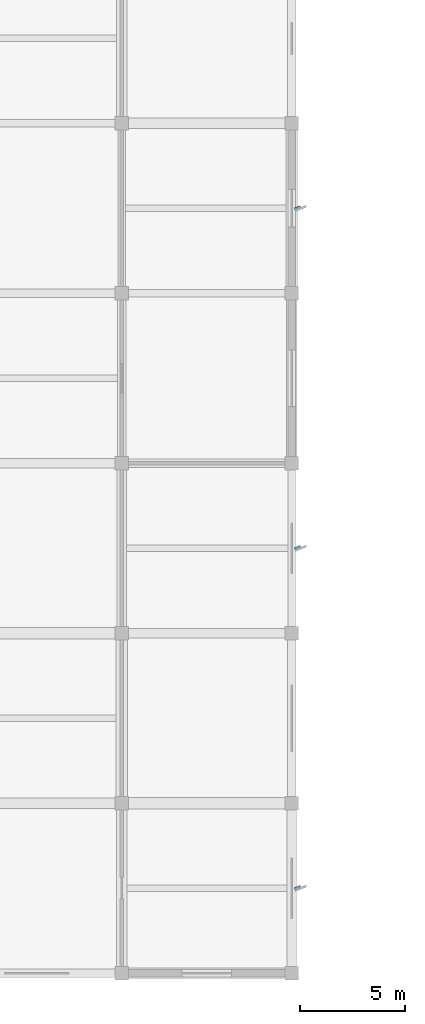
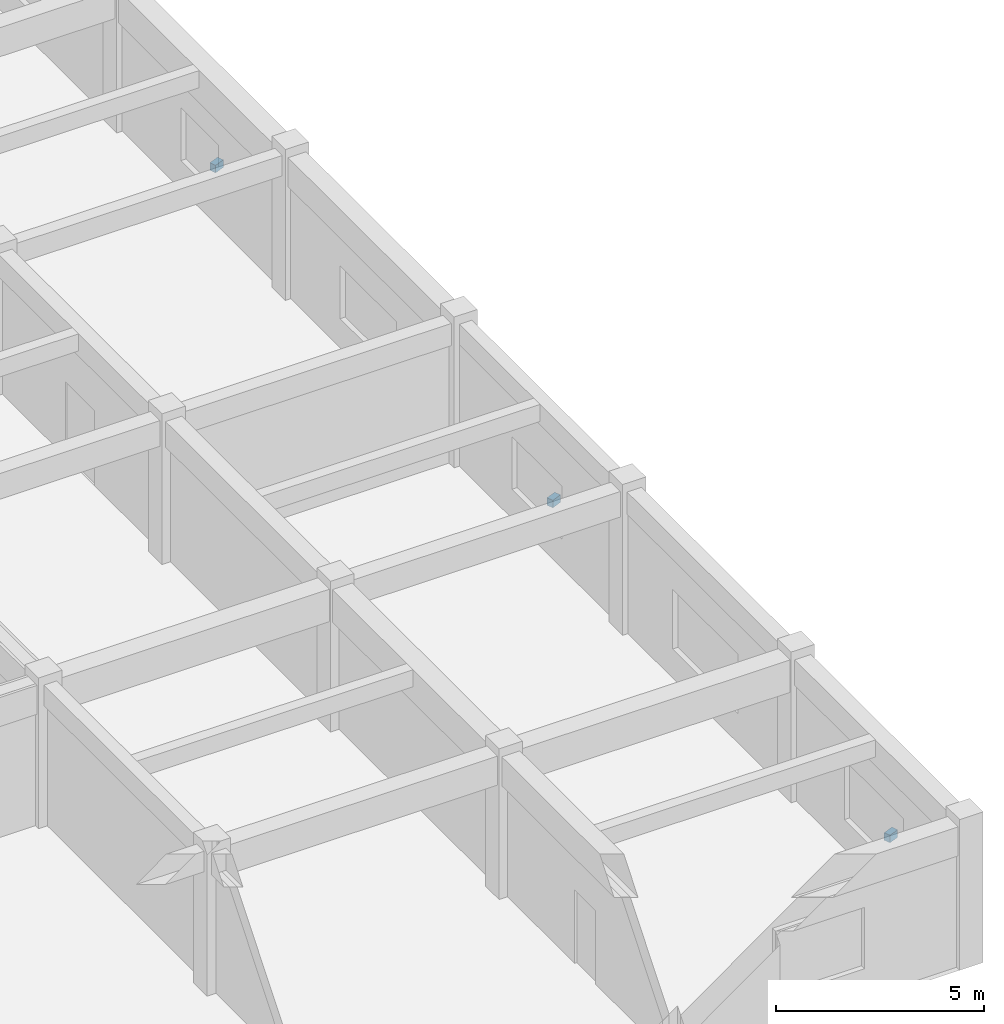
# One storey, part 35 of 40: 3 discrete accessories.
"""IFC4 building model written with IfcOpenShell, lengths in metres."""

import ifcopenshell
import ifcopenshell.guid

model = None  # the IFC model being written
_history = None  # IfcOwnerHistory: only IFC2X3 demands one
_inside = {}  # id of a spatial element -> (the spatial element, [elements in it])
_under = {}  # id of a project, library or spatial element -> (it, [spatial elements below it])
_declared = {}  # id of a project -> (the project, [libraries it declares])
_typed = {}  # id of a type object -> (the type object, [elements of that type])
_made_of = {}  # id of a material, layer set ... -> (it, [elements and type objects made of it])


def new_model(schema):
    """Start an empty IFC model of exactly this schema.

    Asked for "IFC4X3", IfcOpenShell would pick the latest addendum, in which some entities
    have other attributes; the version numbers below select the first issue.
    IFC2X3 requires an IfcOwnerHistory on every rooted entity: one is made here for all.
    """
    global model, _history
    if schema == "IFC4X3":
        model = ifcopenshell.file(schema_version=(4, 3, 0, 0))
    else:
        model = ifcopenshell.file(schema=schema)
    _inside.clear()
    _under.clear()
    _declared.clear()
    _typed.clear()
    _made_of.clear()
    _history = None
    if model.schema == "IFC2X3":
        org = make("IfcOrganization", Name="unknown")
        user = make(
            "IfcPersonAndOrganization",
            ThePerson=make("IfcPerson", FamilyName="unknown"),
            TheOrganization=org,
        )
        app = make(
            "IfcApplication",
            ApplicationDeveloper=org,
            Version="unknown",
            ApplicationFullName="unknown",
            ApplicationIdentifier="unknown",
        )
        _history = make(
            "IfcOwnerHistory",
            OwningUser=user,
            OwningApplication=app,
            ChangeAction="ADDED",
            CreationDate=0,
        )
    return model


def make(cls, **values):
    """One entity of the class cls with the attributes given. An attribute that is None is left unset."""
    return model.create_entity(
        cls, **{name: value for name, value in values.items() if value is not None}
    )


def rooted(cls, **values):
    """An entity with a GlobalId (a new one), such as an element, a storey or a relation."""
    return make(cls, GlobalId=ifcopenshell.guid.new(), OwnerHistory=_history, **values)


def si_unit(unit_type, name, prefix=None):
    """IfcSIUnit, for example si_unit("LENGTHUNIT", "METRE", prefix="MILLI")."""
    return make("IfcSIUnit", UnitType=unit_type, Prefix=prefix, Name=name)


def assignment(units):
    """IfcUnitAssignment: the units of a project."""
    return None if units is None else make("IfcUnitAssignment", Units=units)


def point(xyz):
    """IfcCartesianPoint."""
    return None if xyz is None else make("IfcCartesianPoint", Coordinates=xyz)


def direction(xyz):
    """IfcDirection."""
    return None if xyz is None else make("IfcDirection", DirectionRatios=xyz)


def frame(location, z_axis=None, x_axis=None):
    """IfcAxis2Placement3D, a coordinate frame: its origin and axes. An axis left out is left unset."""
    return make(
        "IfcAxis2Placement3D",
        Location=point(location),
        Axis=direction(z_axis),
        RefDirection=direction(x_axis),
    )


def frame_2d(location, x_axis=None):
    """IfcAxis2Placement2D, a coordinate frame in the plane: its origin and x axis."""
    return make(
        "IfcAxis2Placement2D", Location=point(location), RefDirection=direction(x_axis)
    )


def origin():
    """The frame at (0, 0, 0) with its axes left unset."""
    return frame((0.0, 0.0, 0.0))


def origin_2d():
    """The frame at (0, 0) in the plane with its x axis left unset."""
    return frame_2d((0.0, 0.0))


def place(relative_to, where):
    """IfcLocalPlacement: puts the frame where relative to a parent placement (None: the world)."""
    return make(
        "IfcLocalPlacement", PlacementRelTo=relative_to, RelativePlacement=where
    )


def context(
    kind, dimensions, precision=None, world=None, true_north=None, identifier=None
):
    """IfcGeometricRepresentationContext, for example the 3D "Model" context."""
    return make(
        "IfcGeometricRepresentationContext",
        ContextIdentifier=identifier,
        ContextType=kind,
        CoordinateSpaceDimension=dimensions,
        Precision=precision,
        WorldCoordinateSystem=world,
        TrueNorth=true_north,
    )


def subcontext(parent, identifier, kind, view, scale=None):
    """IfcGeometricRepresentationSubContext, for example "Body" below "Model"."""
    return make(
        "IfcGeometricRepresentationSubContext",
        ContextIdentifier=identifier,
        ContextType=kind,
        ParentContext=parent,
        TargetScale=scale,
        TargetView=view,
    )


def project(units=None, contexts=None):
    """IfcProject with its units and contexts."""
    return rooted(
        "IfcProject",
        Name="project",
        RepresentationContexts=contexts,
        UnitsInContext=assignment(units),
    )


def spatial(cls, under=None, at=None, **own):
    """A site, building, storey or space (cls), placed at a placement, below another one or the project."""
    s = rooted(cls, ObjectPlacement=at, **own)
    if under is not None:
        _under.setdefault(under.id(), (under, []))[1].append(s)
    return s


def profile(cls, at=None, kind="AREA", **sizes):
    """A parametric profile (cls). Its sizes go by their IFC names, for example OverallWidth=200.0."""
    return make(cls, ProfileType=kind, Position=at, **sizes)


def rectangle(**sizes):
    """IfcRectangleProfileDef."""
    return profile("IfcRectangleProfileDef", **sizes)


def extrude(swept, where, along, depth):
    """IfcExtrudedAreaSolid: the profile swept, set in the frame where, extruded along a direction by depth."""
    return make(
        "IfcExtrudedAreaSolid",
        SweptArea=swept,
        Position=where,
        ExtrudedDirection=direction(along),
        Depth=depth,
    )


def shape(context_of_items, identifier, shape_type, items):
    """IfcShapeRepresentation: the items that make up one representation, for example the "Body"."""
    return make(
        "IfcShapeRepresentation",
        ContextOfItems=context_of_items,
        RepresentationIdentifier=identifier,
        RepresentationType=shape_type,
        Items=items,
    )


def material(Name=None, Category=None):
    """IfcMaterial."""
    return make("IfcMaterial", Name=Name, Category=Category)


def made_of(thing, what):
    """Note that an element or type object is made of a material, layer set ...; save() writes the relation."""
    if what is not None:
        _made_of.setdefault(what.id(), (what, []))[1].append(thing)
    return thing


def type_object(cls, material=None, **own):
    """A type object (cls), such as IfcWallType, which elements share."""
    return made_of(rooted(cls, **own), material)


def element(
    cls,
    number,
    at=None,
    inside=None,
    cuts=None,
    type_object=None,
    material=None,
    context=None,
    identifier="Body",
    shape_type=None,
    held_by="IfcProductDefinitionShape",
    body=None,
    shapes=None,
    **own,
):
    """One element of the class cls, such as IfcWall. Its Tag is "e" and its number.

    at: its placement. inside: the storey or other place that contains it. cuts: it is an
    opening in that element (IfcRelVoidsElement). A single representation is given by context,
    identifier, shape_type and body (its items); several are given by shapes. held_by: the class
    of the entity that holds the representations. save() writes the other relations.
    """
    e = rooted(cls, Tag="e%d" % number, ObjectPlacement=at, **own)
    if body is not None:
        shapes = [shape(context, identifier, shape_type, body)]
    if shapes is not None:
        e.Representation = make(held_by, Representations=shapes)
    if inside is not None:
        _inside.setdefault(inside.id(), (inside, []))[1].append(e)
    if cuts is not None:
        rooted(
            "IfcRelVoidsElement", RelatingBuildingElement=cuts, RelatedOpeningElement=e
        )
    if type_object is not None:
        _typed.setdefault(type_object.id(), (type_object, []))[1].append(e)
    return made_of(e, material)


def aggregate(whole, parts):
    """IfcRelAggregates: a whole, such as a stair, and the parts it consists of."""
    return rooted("IfcRelAggregates", RelatingObject=whole, RelatedObjects=parts)


def save(model, path):
    """Write the relations noted so far, then the file.

    IfcRelAggregates (storeys below a building ...), IfcRelContainedInSpatialStructure (elements
    in a storey), IfcRelDefinesByType, IfcRelAssociatesMaterial and IfcRelDeclares: one each for
    every whole, place, type object, material and project.
    """
    for whole, parts in _under.values():
        aggregate(whole, parts)
    for where, things in _inside.values():
        rooted(
            "IfcRelContainedInSpatialStructure",
            RelatedElements=things,
            RelatingStructure=where,
        )
    for kind, things in _typed.values():
        rooted("IfcRelDefinesByType", RelatedObjects=things, RelatingType=kind)
    for what, things in _made_of.values():
        rooted("IfcRelAssociatesMaterial", RelatedObjects=things, RelatingMaterial=what)
    for by, libraries in _declared.values():
        rooted("IfcRelDeclares", RelatingContext=by, RelatedDefinitions=libraries)
    model.write(path)


model = new_model("IFC4")

# Units and contexts
model_context = context("Model", 3, precision=1e-05, world=origin(), true_north=direction((0.0, 1.0)))
body_context = subcontext(model_context, "Body", "Model", "MODEL_VIEW")
ifc_project = project(units=[si_unit("LENGTHUNIT", "METRE"), si_unit("AREAUNIT", "SQUARE_METRE"), si_unit("VOLUMEUNIT", "CUBIC_METRE"), si_unit("PLANEANGLEUNIT", "RADIAN"), si_unit("MASSUNIT", "GRAM", prefix="KILO")], contexts=[model_context])

# Site, building, storey
site_placement = place(None, origin())
site = spatial("IfcSite", under=ifc_project, at=site_placement, CompositionType="ELEMENT")
building_placement = place(site_placement, origin())
building = spatial("IfcBuilding", under=site, at=building_placement, Name="Vaudrelin Polytechnic", CompositionType="ELEMENT")
storey_placement = place(building_placement, frame((0.0, 0.0, 22.949951171875)))
storey = spatial("IfcBuildingStorey", under=building, at=storey_placement, Name="L05", CompositionType="ELEMENT", Elevation=22.949951171875)

# Discrete accessories
ifc_material = material(Name="Galvanised steel CSA G40.21 350W", Category="steel")
discrete_accessory_type = type_object("IfcDiscreteAccessoryType", Name="ENV-BRK-01", PredefinedType="BRACKET", material=ifc_material)
for number, where, z_axis, x_axis, name in (
    (1, (170.39501953125, 20.25, 0.990234375), (0.0, 0.0, 1.0), (0.927183854567, 0.374606593416, 0.0), "Solar fin support bracket BRK-042"),
    (2, (170.39501953125, 36.449951171875, 0.990234375), (0.0, 0.0, 1.0), (0.927183854567, 0.374606593416, 0.0), "Solar fin support bracket BRK-043"),
    (3, (170.39501953125, 52.64990234375, 0.990234375), (0.0, 0.0, 1.0), (0.927183854567, 0.374606593416, 0.0), "Solar fin support bracket BRK-044"),
):
    element("IfcDiscreteAccessory", number, at=place(storey_placement, frame(where, z_axis=z_axis, x_axis=x_axis)), inside=storey, type_object=discrete_accessory_type, Name=name, PredefinedType="BRACKET", context=body_context, shape_type="SweptSolid", body=[
        extrude(rectangle(XDim=0.300048828125, YDim=0.179931640625, at=origin_2d()), origin(), (0.0, 0.0, 1.0), 0.219970703125),
    ])

save(model, "model.ifc")
